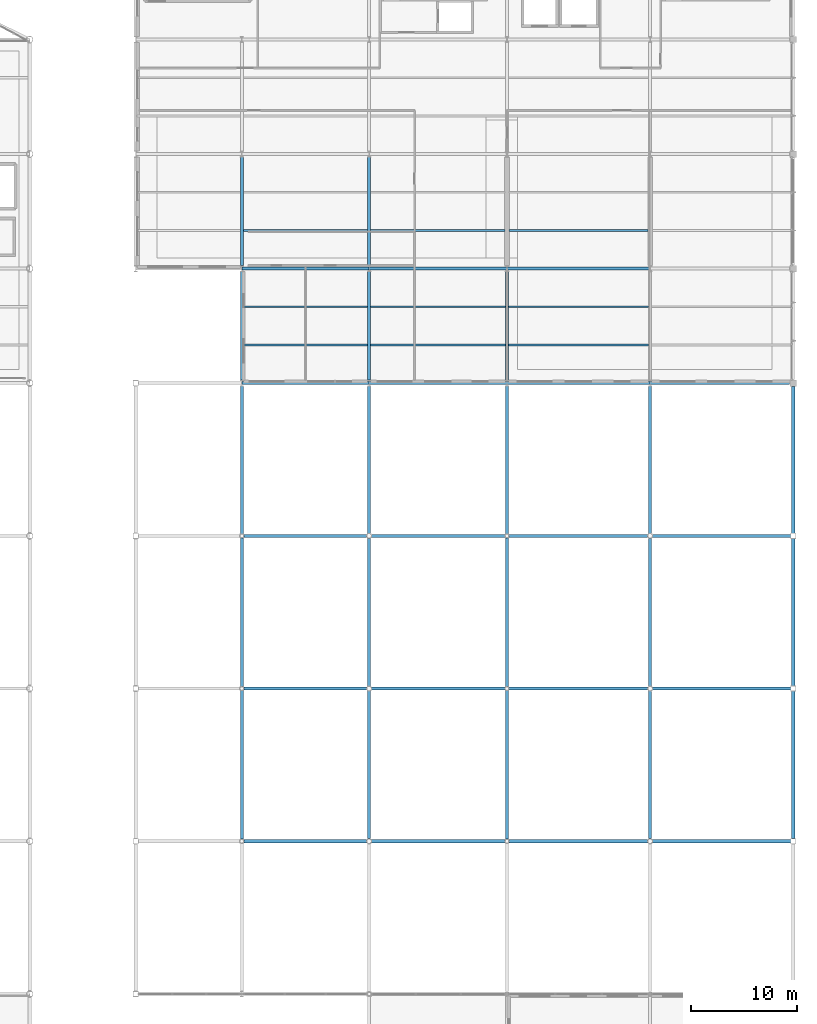
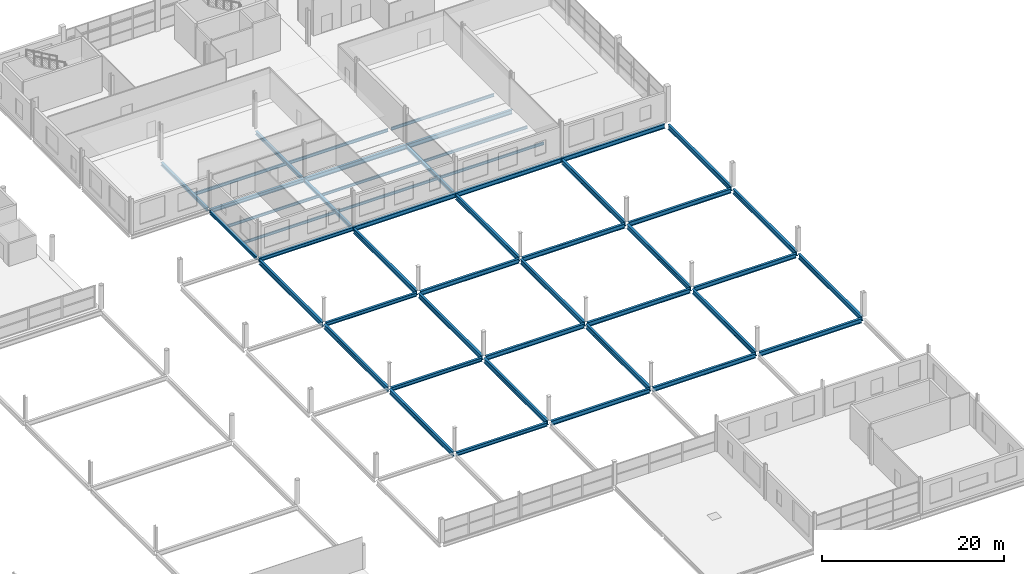
# One storey, part 95 of 134: 48 beams.
"""IFC4 building model written with IfcOpenShell, lengths in metres."""

from ifc_helpers import new_model, si_unit, direction, frame, origin, origin_2d, place, context, subcontext, project, spatial, i_section, extrude, material, material_profile, profile_set, type_object, element, save


model = new_model("IFC4")

# Units and contexts
model_context = context("Model", 3, precision=1e-05, world=origin(), true_north=direction((0.0, 1.0)))
body_context = subcontext(model_context, "Body", "Model", "MODEL_VIEW")
ifc_project = project(units=[si_unit("LENGTHUNIT", "METRE"), si_unit("AREAUNIT", "SQUARE_METRE"), si_unit("VOLUMEUNIT", "CUBIC_METRE"), si_unit("PLANEANGLEUNIT", "RADIAN"), si_unit("MASSUNIT", "GRAM", prefix="KILO")], contexts=[model_context])

# Site, building, storey
site_placement = place(None, origin())
site = spatial("IfcSite", under=ifc_project, at=site_placement, CompositionType="ELEMENT")
building_placement = place(site_placement, origin())
building = spatial("IfcBuilding", under=site, at=building_placement, Name="Tamarisk Ironworks Central Station", CompositionType="ELEMENT")
storey_placement = place(building_placement, frame((0.0, 0.0, 12.60009765625)))
storey = spatial("IfcBuildingStorey", under=building, at=storey_placement, Name="L02", CompositionType="ELEMENT", Elevation=12.60009765625)

# Beams
ifc_material = material(Name="Structural steel S355J2", Category="steel")
ifc_material_profile_1 = material_profile(ifc_material, i_section(OverallWidth=0.179931640625, OverallDepth=0.39990234375, WebThickness=0.008544921875, FlangeThickness=0.013427734375, at=origin_2d()), Name="IPE 400")
ifc_profile_set_1 = profile_set([ifc_material_profile_1], Name="Structural steel S355J2")
beam_type_1 = type_object("IfcBeamType", Name="BM-B04", PredefinedType="BEAM", material=ifc_profile_set_1)
beam_1_placement = place(storey_placement, frame((128.135009765625, 93.60009765625, -0.4501953125), z_axis=(1.0, 0.0, 0.0), x_axis=(0.0, 1.0, 0.0)))
element("IfcBeam", 1, at=beam_1_placement, inside=storey, type_object=beam_type_1, Name="L02 secondary composite beam 0161", PredefinedType="BEAM", context=body_context, shape_type="SweptSolid", body=[
    extrude(i_section(OverallWidth=0.179931640625, OverallDepth=0.39990234375, WebThickness=0.008544921875, FlangeThickness=0.013427734375, at=origin_2d()), origin(), (0.0, 0.0, 1.0), 11.72998046875),
])
beam_2_placement = place(storey_placement, frame((140.135009765625, 93.60009765625, -0.4501953125), z_axis=(1.0, 0.0, 0.0), x_axis=(0.0, 1.0, 0.0)))
element("IfcBeam", 2, at=beam_2_placement, inside=storey, type_object=beam_type_1, Name="L02 secondary composite beam 0165", PredefinedType="BEAM", context=body_context, shape_type="SweptSolid", body=[
    extrude(i_section(OverallWidth=0.179931640625, OverallDepth=0.39990234375, WebThickness=0.008544921875, FlangeThickness=0.013427734375, at=origin_2d()), origin(), (0.0, 0.0, 1.0), 12.6650390625),
])
beam_3_placement = place(storey_placement, frame((153.199951171875, 93.60009765625, -0.4501953125), z_axis=(1.0, 0.0, 0.0), x_axis=(0.0, 1.0, 0.0)))
element("IfcBeam", 3, at=beam_3_placement, inside=storey, type_object=beam_type_1, Name="L02 secondary composite beam 0169", PredefinedType="BEAM", context=body_context, shape_type="SweptSolid", body=[
    extrude(i_section(OverallWidth=0.179931640625, OverallDepth=0.39990234375, WebThickness=0.008544921875, FlangeThickness=0.013427734375, at=origin_2d()), origin(), (0.0, 0.0, 1.0), 13.10009765625),
])
ifc_material_profile_2 = material_profile(ifc_material, i_section(OverallWidth=0.169921875, OverallDepth=0.360107421875, WebThickness=0.008056640625, FlangeThickness=0.0126953125, at=origin_2d()), Name="IPE 360")
ifc_profile_set_2 = profile_set([ifc_material_profile_2], Name="Structural steel S355J2")
beam_type_2 = type_object("IfcBeamType", Name="BM-B05", PredefinedType="BEAM", material=ifc_profile_set_2)
for number, where, z_axis, x_axis, name in (
    (4, (128.135009765625, 82.800048828125, -0.43017578125), (1.0, 0.0, 0.0), (0.0, 1.0, 0.0), "L02 secondary composite beam 0178"),
    (5, (128.135009765625, 86.39990234375, -0.43017578125), (1.0, 0.0, 0.0), (0.0, 1.0, 0.0), "L02 secondary composite beam 0179"),
):
    element("IfcBeam", number, at=place(storey_placement, frame(where, z_axis=z_axis, x_axis=x_axis)), inside=storey, type_object=beam_type_2, Name=name, PredefinedType="BEAM", context=body_context, shape_type="SweptSolid", body=[
        extrude(i_section(OverallWidth=0.169921875, OverallDepth=0.360107421875, WebThickness=0.008056640625, FlangeThickness=0.0126953125, at=origin_2d()), origin(), (0.0, 0.0, 1.0), 11.72998046875),
    ])
for number, where, z_axis, x_axis, name in (
    (6, (140.135009765625, 82.800048828125, -0.43017578125), (1.0, 0.0, 0.0), (0.0, 1.0, 0.0), "L02 secondary composite beam 0180"),
    (7, (140.135009765625, 86.39990234375, -0.43017578125), (1.0, 0.0, 0.0), (0.0, 1.0, 0.0), "L02 secondary composite beam 0181"),
):
    element("IfcBeam", number, at=place(storey_placement, frame(where, z_axis=z_axis, x_axis=x_axis)), inside=storey, type_object=beam_type_2, Name=name, PredefinedType="BEAM", context=body_context, shape_type="SweptSolid", body=[
        extrude(i_section(OverallWidth=0.169921875, OverallDepth=0.360107421875, WebThickness=0.008056640625, FlangeThickness=0.0126953125, at=origin_2d()), origin(), (0.0, 0.0, 1.0), 12.72998046875),
    ])
for number, where, z_axis, x_axis, name in (
    (8, (153.135009765625, 82.800048828125, -0.43017578125), (1.0, 0.0, 0.0), (0.0, 1.0, 0.0), "L02 secondary composite beam 0182"),
    (9, (153.135009765625, 86.39990234375, -0.43017578125), (1.0, 0.0, 0.0), (0.0, 1.0, 0.0), "L02 secondary composite beam 0183"),
):
    element("IfcBeam", number, at=place(storey_placement, frame(where, z_axis=z_axis, x_axis=x_axis)), inside=storey, type_object=beam_type_2, Name=name, PredefinedType="BEAM", context=body_context, shape_type="SweptSolid", body=[
        extrude(i_section(OverallWidth=0.169921875, OverallDepth=0.360107421875, WebThickness=0.008056640625, FlangeThickness=0.0126953125, at=origin_2d()), origin(), (0.0, 0.0, 1.0), 13.22998046875),
    ])
ifc_material_profile_3 = material_profile(ifc_material, i_section(OverallWidth=0.300048828125, OverallDepth=0.639892578125, WebThickness=0.013427734375, FlangeThickness=0.02587890625, at=origin_2d()), Name="HEA 650")
ifc_profile_set_3 = profile_set([ifc_material_profile_3], Name="Structural steel S355J2")
beam_type_3 = type_object("IfcBeamType", Name="BM-G02", PredefinedType="BEAM", material=ifc_profile_set_3)
for number, where, z_axis, x_axis, name in (
    (10, (128.0, 36.191162109375, -0.570068359375), (0.0, 1.0, 0.0), (-1.0, 0.0, 0.0), "L02 primary girder Y-0496"),
    (11, (128.0, 50.59130859375, -0.570068359375), (0.0, 1.0, 0.0), (-1.0, 0.0, 0.0), "L02 primary girder Y-0497"),
):
    element("IfcBeam", number, at=place(storey_placement, frame(where, z_axis=z_axis, x_axis=x_axis)), inside=storey, type_object=beam_type_3, Name=name, PredefinedType="BEAM", context=body_context, shape_type="SweptSolid", body=[
        extrude(i_section(OverallWidth=0.300048828125, OverallDepth=0.639892578125, WebThickness=0.013427734375, FlangeThickness=0.02587890625, at=origin_2d()), origin(), (0.0, 0.0, 1.0), 14.017578125),
    ])
beam_4_placement = place(storey_placement, frame((128.0, 64.9912109375, -0.570068359375), z_axis=(0.0, 1.0, 0.0), x_axis=(-1.0, 0.0, 0.0)))
element("IfcBeam", 12, at=beam_4_placement, inside=storey, type_object=beam_type_3, Name="L02 primary girder Y-0498", PredefinedType="BEAM", context=body_context, shape_type="SweptSolid", body=[
    extrude(i_section(OverallWidth=0.300048828125, OverallDepth=0.639892578125, WebThickness=0.013427734375, FlangeThickness=0.02587890625, at=origin_2d()), origin(), (0.0, 0.0, 1.0), 13.9208984375),
])
for number, where, z_axis, x_axis, name in (
    (13, (140.0, 36.241943359375, -0.570068359375), (0.0, 1.0, 0.0), (-1.0, 0.0, 0.0), "L02 primary girder Y-0505"),
    (14, (140.0, 50.64208984375, -0.570068359375), (0.0, 1.0, 0.0), (-1.0, 0.0, 0.0), "L02 primary girder Y-0506"),
):
    element("IfcBeam", number, at=place(storey_placement, frame(where, z_axis=z_axis, x_axis=x_axis)), inside=storey, type_object=beam_type_3, Name=name, PredefinedType="BEAM", context=body_context, shape_type="SweptSolid", body=[
        extrude(i_section(OverallWidth=0.300048828125, OverallDepth=0.639892578125, WebThickness=0.013427734375, FlangeThickness=0.02587890625, at=origin_2d()), origin(), (0.0, 0.0, 1.0), 13.916015625),
    ])
beam_5_placement = place(storey_placement, frame((140.0, 65.0419921875, -0.570068359375), z_axis=(0.0, 1.0, 0.0), x_axis=(-1.0, 0.0, 0.0)))
element("IfcBeam", 15, at=beam_5_placement, inside=storey, type_object=beam_type_3, Name="L02 primary girder Y-0507", PredefinedType="BEAM", context=body_context, shape_type="SweptSolid", body=[
    extrude(i_section(OverallWidth=0.300048828125, OverallDepth=0.639892578125, WebThickness=0.013427734375, FlangeThickness=0.02587890625, at=origin_2d()), origin(), (0.0, 0.0, 1.0), 13.8701171875),
])
for number, where, z_axis, x_axis, name in (
    (16, (153.0, 36.191162109375, -0.570068359375), (0.0, 1.0, 0.0), (-1.0, 0.0, 0.0), "L02 primary girder Y-0515"),
    (17, (153.0, 50.59130859375, -0.570068359375), (0.0, 1.0, 0.0), (-1.0, 0.0, 0.0), "L02 primary girder Y-0516"),
):
    element("IfcBeam", number, at=place(storey_placement, frame(where, z_axis=z_axis, x_axis=x_axis)), inside=storey, type_object=beam_type_3, Name=name, PredefinedType="BEAM", context=body_context, shape_type="SweptSolid", body=[
        extrude(i_section(OverallWidth=0.300048828125, OverallDepth=0.639892578125, WebThickness=0.013427734375, FlangeThickness=0.02587890625, at=origin_2d()), origin(), (0.0, 0.0, 1.0), 14.017578125),
    ])
beam_6_placement = place(storey_placement, frame((153.0, 64.9912109375, -0.570068359375), z_axis=(0.0, 1.0, 0.0), x_axis=(-1.0, 0.0, 0.0)))
element("IfcBeam", 18, at=beam_6_placement, inside=storey, type_object=beam_type_3, Name="L02 primary girder Y-0517", PredefinedType="BEAM", context=body_context, shape_type="SweptSolid", body=[
    extrude(i_section(OverallWidth=0.300048828125, OverallDepth=0.639892578125, WebThickness=0.013427734375, FlangeThickness=0.02587890625, at=origin_2d()), origin(), (0.0, 0.0, 1.0), 13.9208984375),
])
for number, where, z_axis, x_axis, name in (
    (19, (166.5, 36.241943359375, -0.570068359375), (0.0, 1.0, 0.0), (-1.0, 0.0, 0.0), "L02 primary girder Y-0524"),
    (20, (166.5, 50.64208984375, -0.570068359375), (0.0, 1.0, 0.0), (-1.0, 0.0, 0.0), "L02 primary girder Y-0525"),
):
    element("IfcBeam", number, at=place(storey_placement, frame(where, z_axis=z_axis, x_axis=x_axis)), inside=storey, type_object=beam_type_3, Name=name, PredefinedType="BEAM", context=body_context, shape_type="SweptSolid", body=[
        extrude(i_section(OverallWidth=0.300048828125, OverallDepth=0.639892578125, WebThickness=0.013427734375, FlangeThickness=0.02587890625, at=origin_2d()), origin(), (0.0, 0.0, 1.0), 13.916015625),
    ])
beam_7_placement = place(storey_placement, frame((166.5, 65.0419921875, -0.570068359375), z_axis=(0.0, 1.0, 0.0), x_axis=(-1.0, 0.0, 0.0)))
element("IfcBeam", 21, at=beam_7_placement, inside=storey, type_object=beam_type_3, Name="L02 primary girder Y-0526", PredefinedType="BEAM", context=body_context, shape_type="SweptSolid", body=[
    extrude(i_section(OverallWidth=0.300048828125, OverallDepth=0.639892578125, WebThickness=0.013427734375, FlangeThickness=0.02587890625, at=origin_2d()), origin(), (0.0, 0.0, 1.0), 13.8701171875),
])
for number, where, z_axis, x_axis, name in (
    (22, (180.0, 36.238037109375, -0.570068359375), (0.0, 1.0, 0.0), (-1.0, 0.0, 0.0), "L02 primary girder Y-0533"),
    (23, (180.0, 50.637939453125, -0.570068359375), (0.0, 1.0, 0.0), (-1.0, 0.0, 0.0), "L02 primary girder Y-0534"),
):
    element("IfcBeam", number, at=place(storey_placement, frame(where, z_axis=z_axis, x_axis=x_axis)), inside=storey, type_object=beam_type_3, Name=name, PredefinedType="BEAM", context=body_context, shape_type="SweptSolid", body=[
        extrude(i_section(OverallWidth=0.300048828125, OverallDepth=0.639892578125, WebThickness=0.013427734375, FlangeThickness=0.02587890625, at=origin_2d()), origin(), (0.0, 0.0, 1.0), 13.924072265625),
    ])
beam_8_placement = place(storey_placement, frame((180.0, 65.0380859375, -0.570068359375), z_axis=(0.0, 1.0, 0.0), x_axis=(-1.0, 0.0, 0.0)))
element("IfcBeam", 24, at=beam_8_placement, inside=storey, type_object=beam_type_3, Name="L02 primary girder Y-0535", PredefinedType="BEAM", context=body_context, shape_type="SweptSolid", body=[
    extrude(i_section(OverallWidth=0.300048828125, OverallDepth=0.639892578125, WebThickness=0.013427734375, FlangeThickness=0.02587890625, at=origin_2d()), origin(), (0.0, 0.0, 1.0), 13.823974609375),
])
ifc_material_profile_4 = material_profile(ifc_material, i_section(OverallWidth=0.300048828125, OverallDepth=0.590087890625, WebThickness=0.012939453125, FlangeThickness=0.02490234375, at=origin_2d()), Name="HEA 600")
ifc_profile_set_4 = profile_set([ifc_material_profile_4], Name="Structural steel S355J2")
beam_type_4 = type_object("IfcBeamType", Name="BM-G03", PredefinedType="BEAM", material=ifc_profile_set_4)
beam_9_placement = place(storey_placement, frame((140.241943359375, 36.0, -0.545166015625), z_axis=(1.0, 0.0, 0.0), x_axis=(0.0, 1.0, 0.0)))
element("IfcBeam", 25, at=beam_9_placement, inside=storey, type_object=beam_type_4, Name="L02 primary girder X-0328", PredefinedType="BEAM", context=body_context, shape_type="SweptSolid", body=[
    extrude(i_section(OverallWidth=0.300048828125, OverallDepth=0.590087890625, WebThickness=0.012939453125, FlangeThickness=0.02490234375, at=origin_2d()), origin(), (0.0, 0.0, 1.0), 12.56689453125),
])
beam_10_placement = place(storey_placement, frame((153.191162109375, 36.0, -0.545166015625), z_axis=(1.0, 0.0, 0.0), x_axis=(0.0, 1.0, 0.0)))
element("IfcBeam", 26, at=beam_10_placement, inside=storey, type_object=beam_type_4, Name="L02 primary girder X-0329", PredefinedType="BEAM", context=body_context, shape_type="SweptSolid", body=[
    extrude(i_section(OverallWidth=0.300048828125, OverallDepth=0.590087890625, WebThickness=0.012939453125, FlangeThickness=0.02490234375, at=origin_2d()), origin(), (0.0, 0.0, 1.0), 13.06689453125),
])
beam_11_placement = place(storey_placement, frame((166.741943359375, 36.0, -0.545166015625), z_axis=(1.0, 0.0, 0.0), x_axis=(0.0, 1.0, 0.0)))
element("IfcBeam", 27, at=beam_11_placement, inside=storey, type_object=beam_type_4, Name="L02 primary girder X-0330", PredefinedType="BEAM", context=body_context, shape_type="SweptSolid", body=[
    extrude(i_section(OverallWidth=0.300048828125, OverallDepth=0.590087890625, WebThickness=0.012939453125, FlangeThickness=0.02490234375, at=origin_2d()), origin(), (0.0, 0.0, 1.0), 13.02001953125),
])
beam_12_placement = place(storey_placement, frame((140.241943359375, 50.39990234375, -0.545166015625), z_axis=(1.0, 0.0, 0.0), x_axis=(0.0, 1.0, 0.0)))
element("IfcBeam", 28, at=beam_12_placement, inside=storey, type_object=beam_type_4, Name="L02 primary girder X-0340", PredefinedType="BEAM", context=body_context, shape_type="SweptSolid", body=[
    extrude(i_section(OverallWidth=0.300048828125, OverallDepth=0.590087890625, WebThickness=0.012939453125, FlangeThickness=0.02490234375, at=origin_2d()), origin(), (0.0, 0.0, 1.0), 12.56689453125),
])
beam_13_placement = place(storey_placement, frame((153.191162109375, 50.39990234375, -0.545166015625), z_axis=(1.0, 0.0, 0.0), x_axis=(0.0, 1.0, 0.0)))
element("IfcBeam", 29, at=beam_13_placement, inside=storey, type_object=beam_type_4, Name="L02 primary girder X-0341", PredefinedType="BEAM", context=body_context, shape_type="SweptSolid", body=[
    extrude(i_section(OverallWidth=0.300048828125, OverallDepth=0.590087890625, WebThickness=0.012939453125, FlangeThickness=0.02490234375, at=origin_2d()), origin(), (0.0, 0.0, 1.0), 13.06689453125),
])
beam_14_placement = place(storey_placement, frame((166.741943359375, 50.39990234375, -0.545166015625), z_axis=(1.0, 0.0, 0.0), x_axis=(0.0, 1.0, 0.0)))
element("IfcBeam", 30, at=beam_14_placement, inside=storey, type_object=beam_type_4, Name="L02 primary girder X-0342", PredefinedType="BEAM", context=body_context, shape_type="SweptSolid", body=[
    extrude(i_section(OverallWidth=0.300048828125, OverallDepth=0.590087890625, WebThickness=0.012939453125, FlangeThickness=0.02490234375, at=origin_2d()), origin(), (0.0, 0.0, 1.0), 13.02001953125),
])
beam_15_placement = place(storey_placement, frame((140.241943359375, 64.800048828125, -0.545166015625), z_axis=(1.0, 0.0, 0.0), x_axis=(0.0, 1.0, 0.0)))
element("IfcBeam", 31, at=beam_15_placement, inside=storey, type_object=beam_type_4, Name="L02 primary girder X-0352", PredefinedType="BEAM", context=body_context, shape_type="SweptSolid", body=[
    extrude(i_section(OverallWidth=0.300048828125, OverallDepth=0.590087890625, WebThickness=0.012939453125, FlangeThickness=0.02490234375, at=origin_2d()), origin(), (0.0, 0.0, 1.0), 12.56689453125),
])
beam_16_placement = place(storey_placement, frame((153.191162109375, 64.800048828125, -0.545166015625), z_axis=(1.0, 0.0, 0.0), x_axis=(0.0, 1.0, 0.0)))
element("IfcBeam", 32, at=beam_16_placement, inside=storey, type_object=beam_type_4, Name="L02 primary girder X-0353", PredefinedType="BEAM", context=body_context, shape_type="SweptSolid", body=[
    extrude(i_section(OverallWidth=0.300048828125, OverallDepth=0.590087890625, WebThickness=0.012939453125, FlangeThickness=0.02490234375, at=origin_2d()), origin(), (0.0, 0.0, 1.0), 13.06689453125),
])
beam_17_placement = place(storey_placement, frame((166.741943359375, 64.800048828125, -0.545166015625), z_axis=(1.0, 0.0, 0.0), x_axis=(0.0, 1.0, 0.0)))
element("IfcBeam", 33, at=beam_17_placement, inside=storey, type_object=beam_type_4, Name="L02 primary girder X-0354", PredefinedType="BEAM", context=body_context, shape_type="SweptSolid", body=[
    extrude(i_section(OverallWidth=0.300048828125, OverallDepth=0.590087890625, WebThickness=0.012939453125, FlangeThickness=0.02490234375, at=origin_2d()), origin(), (0.0, 0.0, 1.0), 13.02001953125),
])
beam_18_placement = place(storey_placement, frame((140.00390625, 79.199951171875, -0.545166015625), z_axis=(1.0, 0.0, 0.0), x_axis=(0.0, 1.0, 0.0)))
element("IfcBeam", 34, at=beam_18_placement, inside=storey, type_object=beam_type_4, Name="L02 primary girder X-0365", PredefinedType="BEAM", context=body_context, shape_type="SweptSolid", body=[
    extrude(i_section(OverallWidth=0.300048828125, OverallDepth=0.590087890625, WebThickness=0.012939453125, FlangeThickness=0.02490234375, at=origin_2d()), origin(), (0.0, 0.0, 1.0), 12.9921875),
])
beam_19_placement = place(storey_placement, frame((153.00390625, 79.199951171875, -0.545166015625), z_axis=(1.0, 0.0, 0.0), x_axis=(0.0, 1.0, 0.0)))
element("IfcBeam", 35, at=beam_19_placement, inside=storey, type_object=beam_type_4, Name="L02 primary girder X-0366", PredefinedType="BEAM", context=body_context, shape_type="SweptSolid", body=[
    extrude(i_section(OverallWidth=0.300048828125, OverallDepth=0.590087890625, WebThickness=0.012939453125, FlangeThickness=0.02490234375, at=origin_2d()), origin(), (0.0, 0.0, 1.0), 13.4921875),
])
beam_20_placement = place(storey_placement, frame((166.50390625, 79.199951171875, -0.545166015625), z_axis=(1.0, 0.0, 0.0), x_axis=(0.0, 1.0, 0.0)))
element("IfcBeam", 36, at=beam_20_placement, inside=storey, type_object=beam_type_4, Name="L02 primary girder X-0367", PredefinedType="BEAM", context=body_context, shape_type="SweptSolid", body=[
    extrude(i_section(OverallWidth=0.300048828125, OverallDepth=0.590087890625, WebThickness=0.012939453125, FlangeThickness=0.02490234375, at=origin_2d()), origin(), (0.0, 0.0, 1.0), 13.158203125),
])
beam_21_placement = place(storey_placement, frame((140.00390625, 90.0, -0.545166015625), z_axis=(1.0, 0.0, 0.0), x_axis=(0.0, 1.0, 0.0)))
element("IfcBeam", 37, at=beam_21_placement, inside=storey, type_object=beam_type_4, Name="L02 primary girder X-0378", PredefinedType="BEAM", context=body_context, shape_type="SweptSolid", body=[
    extrude(i_section(OverallWidth=0.300048828125, OverallDepth=0.590087890625, WebThickness=0.012939453125, FlangeThickness=0.02490234375, at=origin_2d()), origin(), (0.0, 0.0, 1.0), 12.9921875),
])
beam_22_placement = place(storey_placement, frame((153.00390625, 90.0, -0.545166015625), z_axis=(1.0, 0.0, 0.0), x_axis=(0.0, 1.0, 0.0)))
element("IfcBeam", 38, at=beam_22_placement, inside=storey, type_object=beam_type_4, Name="L02 primary girder X-0379", PredefinedType="BEAM", context=body_context, shape_type="SweptSolid", body=[
    extrude(i_section(OverallWidth=0.300048828125, OverallDepth=0.590087890625, WebThickness=0.012939453125, FlangeThickness=0.02490234375, at=origin_2d()), origin(), (0.0, 0.0, 1.0), 13.4921875),
])
ifc_material_profile_5 = material_profile(ifc_material, i_section(OverallWidth=0.300048828125, OverallDepth=0.489990234375, WebThickness=0.011962890625, FlangeThickness=0.02294921875, at=origin_2d()), Name="HEA 500")
ifc_profile_set_5 = profile_set([ifc_material_profile_5], Name="Structural steel S355J2")
beam_type_5 = type_object("IfcBeamType", Name="BM-G05", PredefinedType="BEAM", material=ifc_profile_set_5)
for number, where, z_axis, x_axis, name in (
    (39, (128.191162109375, 36.0, -0.4951171875), (1.0, 0.0, 0.0), (0.0, 1.0, 0.0), "L02 primary girder X-0327"),
    (40, (128.191162109375, 50.39990234375, -0.4951171875), (1.0, 0.0, 0.0), (0.0, 1.0, 0.0), "L02 primary girder X-0339"),
    (41, (128.191162109375, 64.800048828125, -0.4951171875), (1.0, 0.0, 0.0), (0.0, 1.0, 0.0), "L02 primary girder X-0351"),
):
    element("IfcBeam", number, at=place(storey_placement, frame(where, z_axis=z_axis, x_axis=x_axis)), inside=storey, type_object=beam_type_5, Name=name, PredefinedType="BEAM", context=body_context, shape_type="SweptSolid", body=[
        extrude(i_section(OverallWidth=0.300048828125, OverallDepth=0.489990234375, WebThickness=0.011962890625, FlangeThickness=0.02294921875, at=origin_2d()), origin(), (0.0, 0.0, 1.0), 11.56689453125),
    ])
for number, where, z_axis, x_axis, name in (
    (42, (128.00390625, 79.199951171875, -0.4951171875), (1.0, 0.0, 0.0), (0.0, 1.0, 0.0), "L02 primary girder X-0364"),
    (43, (128.00390625, 90.0, -0.4951171875), (1.0, 0.0, 0.0), (0.0, 1.0, 0.0), "L02 primary girder X-0377"),
):
    element("IfcBeam", number, at=place(storey_placement, frame(where, z_axis=z_axis, x_axis=x_axis)), inside=storey, type_object=beam_type_5, Name=name, PredefinedType="BEAM", context=body_context, shape_type="SweptSolid", body=[
        extrude(i_section(OverallWidth=0.300048828125, OverallDepth=0.489990234375, WebThickness=0.011962890625, FlangeThickness=0.02294921875, at=origin_2d()), origin(), (0.0, 0.0, 1.0), 11.9921875),
    ])
ifc_material_profile_6 = material_profile(ifc_material, i_section(OverallWidth=0.300048828125, OverallDepth=0.43994140625, WebThickness=0.011474609375, FlangeThickness=0.02099609375, at=origin_2d()), Name="HEA 450")
ifc_profile_set_6 = profile_set([ifc_material_profile_6], Name="Structural steel S355J2")
beam_type_6 = type_object("IfcBeamType", Name="BM-G06", PredefinedType="BEAM", material=ifc_profile_set_6)
for number, where, z_axis, x_axis, name in (
    (44, (128.0, 79.488037109375, -0.47021484375), (0.0, 1.0, 0.0), (-1.0, 0.0, 0.0), "L02 primary girder Y-0499"),
    (45, (128.0, 90.2880859375, -0.47021484375), (0.0, 1.0, 0.0), (-1.0, 0.0, 0.0), "L02 primary girder Y-0500"),
    (46, (140.0, 79.488037109375, -0.47021484375), (0.0, 1.0, 0.0), (-1.0, 0.0, 0.0), "L02 primary girder Y-0508"),
    (47, (140.0, 90.2880859375, -0.47021484375), (0.0, 1.0, 0.0), (-1.0, 0.0, 0.0), "L02 primary girder Y-0509"),
    (48, (153.0, 79.488037109375, -0.47021484375), (0.0, 1.0, 0.0), (-1.0, 0.0, 0.0), "L02 primary girder Y-0518"),
):
    element("IfcBeam", number, at=place(storey_placement, frame(where, z_axis=z_axis, x_axis=x_axis)), inside=storey, type_object=beam_type_6, Name=name, PredefinedType="BEAM", context=body_context, shape_type="SweptSolid", body=[
        extrude(i_section(OverallWidth=0.300048828125, OverallDepth=0.43994140625, WebThickness=0.011474609375, FlangeThickness=0.02099609375, at=origin_2d()), origin(), (0.0, 0.0, 1.0), 10.223876953125),
    ])

save(model, "model.ifc")
